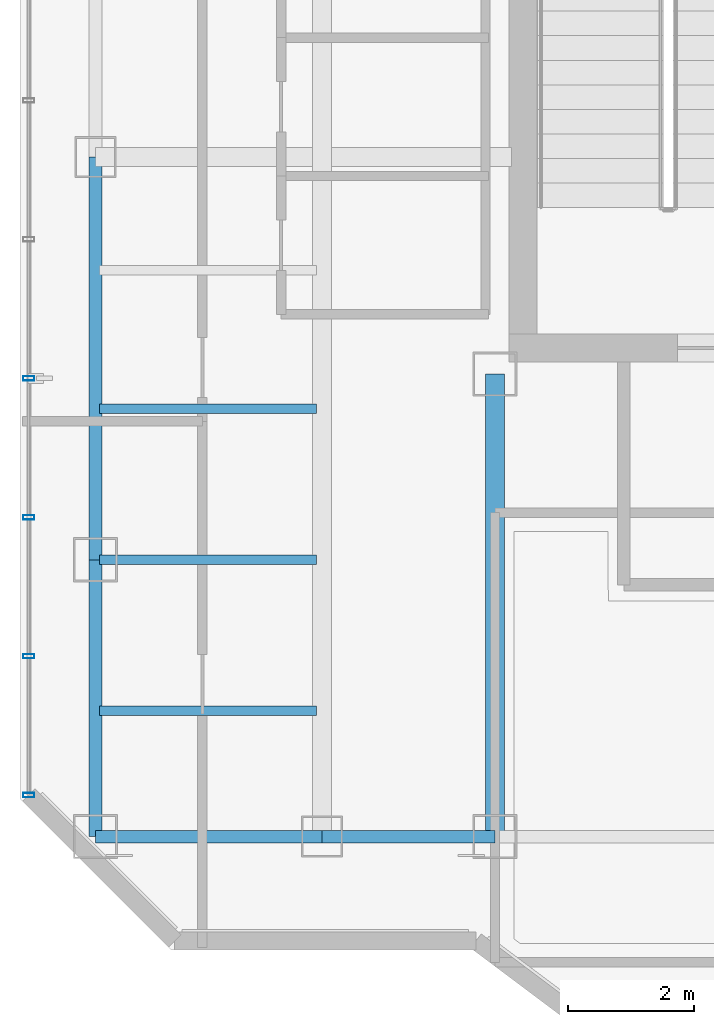
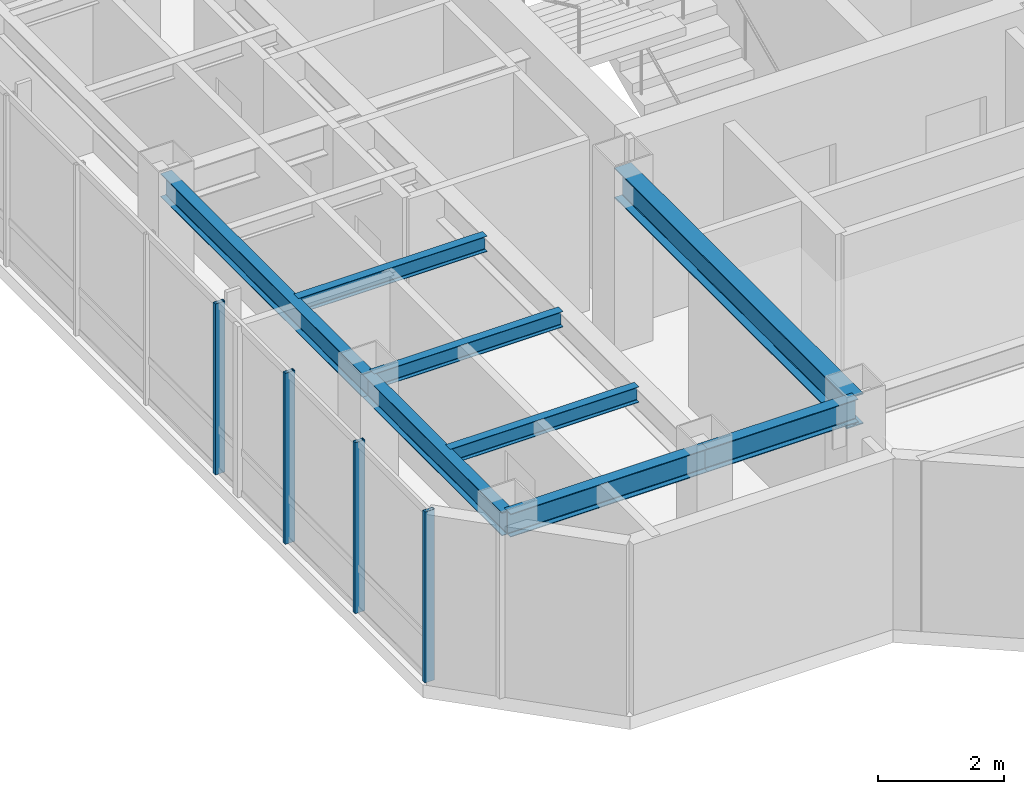
# One storey, part 4 of 25: 8 beams, 4 members, 1 element without a shape of its own.
"""IFC4 building model written with IfcOpenShell, lengths in metres."""

from ifc_helpers import new_model, si_unit, direction, frame, origin, origin_2d, place, context, subcontext, project, spatial, hollow_rectangle, i_section, extrude, material, layer, layer_set, material_profile, profile_set, type_object, element, aggregate, save


model = new_model("IFC4")

# Units and contexts
model_context = context("Model", 3, precision=1e-05, world=origin(), true_north=direction((0.0, 1.0)))
body_context = subcontext(model_context, "Body", "Model", "MODEL_VIEW")
ifc_project = project(units=[si_unit("LENGTHUNIT", "METRE"), si_unit("AREAUNIT", "SQUARE_METRE"), si_unit("VOLUMEUNIT", "CUBIC_METRE"), si_unit("PLANEANGLEUNIT", "RADIAN"), si_unit("MASSUNIT", "GRAM", prefix="KILO")], contexts=[model_context])

# Site, building, storey
site_placement = place(None, origin())
site = spatial("IfcSite", under=ifc_project, at=site_placement, CompositionType="ELEMENT")
building_placement = place(site_placement, origin())
building = spatial("IfcBuilding", under=site, at=building_placement, Name="Hatsunagi Terrace Concourse", CompositionType="ELEMENT")
storey_placement = place(building_placement, frame((0.0, 0.0, 231.14990234375)))
storey = spatial("IfcBuildingStorey", under=building, at=storey_placement, Name="L61", CompositionType="ELEMENT", Elevation=231.14990234375)

# Curtain wall, members
ifc_material_1 = material(Name="Anodised Aluminium Alloy 6063-T5", Category="aluminium")
ifc_layer = layer(ifc_material_1, 0.199951171875)
ifc_layer_set = layer_set([ifc_layer], Name="OfficeZone2_CW04")
curtain_wall_type = type_object("IfcCurtainWallType", Name="OfficeZone2_CW04", PredefinedType="NOTDEFINED", material=ifc_layer_set)
curtain_wall_placement = place(storey_placement, origin())
curtain_wall = element("IfcCurtainWall", 1, at=curtain_wall_placement, inside=storey, type_object=curtain_wall_type, Name="Unitised Curtain Wall CW-04 CW-L61-08", PredefinedType="NOTDEFINED")
ifc_material_2 = material(Name="Anodised Aluminium Alloy 6063-T5", Category="aluminium")
ifc_material_profile_1 = material_profile(ifc_material_2, hollow_rectangle(XDim=0.070068359375, YDim=0.179931640625, WallThickness=0.00390625, at=origin_2d()), Name="ALU-MUL-180x70x4")
ifc_profile_set_1 = profile_set([ifc_material_profile_1], Name="Anodised Aluminium Alloy 6063-T5")
member_type = type_object("IfcMemberType", Name="CurtainWallMullion_180x70", PredefinedType="MULLION", material=ifc_profile_set_1)
member_1_placement = place(storey_placement, frame((18.139892578125, 25.85791015625, 0.0), z_axis=(0.0, 0.0, 1.0), x_axis=(0.0, 1.0, 0.0)))
member_1 = element("IfcMember", 2, at=member_1_placement, type_object=member_type, Name="Curtain Wall Mullion MUL-02", PredefinedType="MULLION", context=body_context, shape_type="SweptSolid", body=[
    extrude(hollow_rectangle(XDim=0.070068359375, YDim=0.179931640625, WallThickness=0.00390625, at=origin_2d()), origin(), (0.0, 0.0, 1.0), 3.300048828125),
])
member_2_placement = place(storey_placement, frame((18.139892578125, 28.06591796875, 0.0), z_axis=(0.0, 0.0, 1.0), x_axis=(0.0, 1.0, 0.0)))
member_2 = element("IfcMember", 3, at=member_2_placement, type_object=member_type, Name="Curtain Wall Mullion MUL-02", PredefinedType="MULLION", context=body_context, shape_type="SweptSolid", body=[
    extrude(hollow_rectangle(XDim=0.070068359375, YDim=0.179931640625, WallThickness=0.00390625, at=origin_2d()), origin(), (0.0, 0.0, 1.0), 3.300048828125),
])
member_3_placement = place(storey_placement, frame((18.139892578125, 30.27490234375, 0.0), z_axis=(0.0, 0.0, 1.0), x_axis=(0.0, 1.0, 0.0)))
member_3 = element("IfcMember", 4, at=member_3_placement, type_object=member_type, Name="Curtain Wall Mullion MUL-02", PredefinedType="MULLION", context=body_context, shape_type="SweptSolid", body=[
    extrude(hollow_rectangle(XDim=0.070068359375, YDim=0.179931640625, WallThickness=0.00390625, at=origin_2d()), origin(), (0.0, 0.0, 1.0), 3.300048828125),
])
member_4_placement = place(storey_placement, frame((18.139892578125, 32.48291015625, 0.0), z_axis=(0.0, 0.0, 1.0), x_axis=(0.0, 1.0, 0.0)))
member_4 = element("IfcMember", 5, at=member_4_placement, type_object=member_type, Name="Curtain Wall Mullion MUL-02", PredefinedType="MULLION", context=body_context, shape_type="SweptSolid", body=[
    extrude(hollow_rectangle(XDim=0.070068359375, YDim=0.179931640625, WallThickness=0.00390625, at=origin_2d()), origin(), (0.0, 0.0, 1.0), 3.300048828125),
])
aggregate(curtain_wall, [member_1, member_2, member_3, member_4])

# Beams
ifc_material_3 = material(Name="Steel SN490B", Category="steel")
ifc_material_profile_2 = material_profile(ifc_material_3, i_section(OverallWidth=0.300048828125, OverallDepth=0.587890625, WebThickness=0.011962890625, FlangeThickness=0.02001953125, FilletRadius=0.01806640625, at=origin_2d()), Name="H-588x300x12x20")
ifc_profile_set_2 = profile_set([ifc_material_profile_2], Name="Steel SN490B")
beam_type_1 = type_object("IfcBeamType", Name="OfficeHighGirder_H_588x300", PredefinedType="BEAM", material=ifc_profile_set_2)
beam_1_placement = place(storey_placement, frame((25.550048828125, 25.199951171875, 3.006103515625), z_axis=(0.0, 1.0, 0.0), x_axis=(-1.0, 0.0, 0.0)))
element("IfcBeam", 6, at=beam_1_placement, inside=storey, type_object=beam_type_1, Name="Beam G-06 BM-L61-K1CA", PredefinedType="BEAM", context=body_context, shape_type="SweptSolid", body=[
    extrude(i_section(OverallWidth=0.300048828125, OverallDepth=0.587890625, WebThickness=0.011962890625, FlangeThickness=0.02001953125, FilletRadius=0.01806640625, at=origin_2d()), origin(), (0.0, 0.0, 1.0), 7.35009765625),
])
ifc_material_4 = material(Name="Steel SN490B", Category="steel")
ifc_material_profile_3 = material_profile(ifc_material_4, i_section(OverallWidth=0.14990234375, OverallDepth=0.300048828125, WebThickness=0.006591796875, FlangeThickness=0.009033203125, FilletRadius=0.010986328125, at=origin_2d()), Name="H-300x150x6.5x9")
ifc_profile_set_3 = profile_set([ifc_material_profile_3], Name="Steel SN490B")
beam_type_2 = type_object("IfcBeamType", Name="OfficeJoist_H_300x150", PredefinedType="JOIST", material=ifc_profile_set_3)
for number, where, z_axis, x_axis, name in (
    (7, (19.264892578125, 27.199951171875, 3.150146484375), (1.0, 0.0, 0.0), (0.0, 1.0, 0.0), "Beam J-03 J-L61-W-19-272"),
    (8, (19.264892578125, 29.60009765625, 3.150146484375), (1.0, 0.0, 0.0), (0.0, 1.0, 0.0), "Beam J-03 J-L61-W-19-296"),
    (9, (19.264892578125, 32.0, 3.150146484375), (1.0, 0.0, 0.0), (0.0, 1.0, 0.0), "Beam J-03 J-L61-W-19-320"),
):
    element("IfcBeam", number, at=place(storey_placement, frame(where, z_axis=z_axis, x_axis=x_axis)), inside=storey, type_object=beam_type_2, Name=name, PredefinedType="JOIST", context=body_context, shape_type="SweptSolid", body=[
        extrude(i_section(OverallWidth=0.14990234375, OverallDepth=0.300048828125, WebThickness=0.006591796875, FlangeThickness=0.009033203125, FilletRadius=0.010986328125, at=origin_2d()), origin(), (0.0, 0.0, 1.0), 3.4501953125),
    ])
ifc_material_5 = material(Name="Steel SN490B", Category="steel")
ifc_material_profile_4 = material_profile(ifc_material_5, i_section(OverallWidth=0.199951171875, OverallDepth=0.449951171875, WebThickness=0.009033203125, FlangeThickness=0.013916015625, FilletRadius=0.01611328125, at=origin_2d()), Name="H-450x200x9x14")
ifc_profile_set_4 = profile_set([ifc_material_profile_4], Name="Steel SN490B")
beam_type_3 = type_object("IfcBeamType", Name="PerimeterSpandrel_H_450x200", PredefinedType="SPANDREL", material=ifc_profile_set_4)
beam_2_placement = place(storey_placement, frame((19.199951171875, 25.199951171875, 3.0751953125), z_axis=(1.0, 0.0, 0.0), x_axis=(0.0, 1.0, 0.0)))
element("IfcBeam", 10, at=beam_2_placement, inside=storey, type_object=beam_type_3, Name="Beam SP-02 BM-L61-WS-19", PredefinedType="SPANDREL", context=body_context, shape_type="SweptSolid", body=[
    extrude(i_section(OverallWidth=0.199951171875, OverallDepth=0.449951171875, WebThickness=0.009033203125, FlangeThickness=0.013916015625, FilletRadius=0.01611328125, at=origin_2d()), origin(), (0.0, 0.0, 1.0), 3.60009765625),
])
beam_3_placement = place(storey_placement, frame((22.800048828125, 25.199951171875, 3.0751953125), z_axis=(1.0, 0.0, 0.0), x_axis=(0.0, 1.0, 0.0)))
element("IfcBeam", 11, at=beam_3_placement, inside=storey, type_object=beam_type_3, Name="Beam SP-02 BM-L61-WS-22", PredefinedType="SPANDREL", context=body_context, shape_type="SweptSolid", body=[
    extrude(i_section(OverallWidth=0.199951171875, OverallDepth=0.449951171875, WebThickness=0.009033203125, FlangeThickness=0.013916015625, FilletRadius=0.01611328125, at=origin_2d()), origin(), (0.0, 0.0, 1.0), 2.75),
])
beam_4_placement = place(storey_placement, frame((19.199951171875, 25.199951171875, 3.0751953125), z_axis=(0.0, 1.0, 0.0), x_axis=(-1.0, 0.0, 0.0)))
element("IfcBeam", 12, at=beam_4_placement, inside=storey, type_object=beam_type_3, Name="Beam SP-02 BM-L61-NS-19-25", PredefinedType="SPANDREL", context=body_context, shape_type="SweptSolid", body=[
    extrude(i_section(OverallWidth=0.199951171875, OverallDepth=0.449951171875, WebThickness=0.009033203125, FlangeThickness=0.013916015625, FilletRadius=0.01611328125, at=origin_2d()), origin(), (0.0, 0.0, 1.0), 4.400146484375),
])
beam_5_placement = place(storey_placement, frame((19.199951171875, 29.60009765625, 3.0751953125), z_axis=(0.0, 1.0, 0.0), x_axis=(-1.0, 0.0, 0.0)))
element("IfcBeam", 13, at=beam_5_placement, inside=storey, type_object=beam_type_3, Name="Beam SP-02 BM-L61-NS-19-29", PredefinedType="SPANDREL", context=body_context, shape_type="SweptSolid", body=[
    extrude(i_section(OverallWidth=0.199951171875, OverallDepth=0.449951171875, WebThickness=0.009033203125, FlangeThickness=0.013916015625, FilletRadius=0.01611328125, at=origin_2d()), origin(), (0.0, 0.0, 1.0), 6.39990234375),
])

save(model, "model.ifc")
